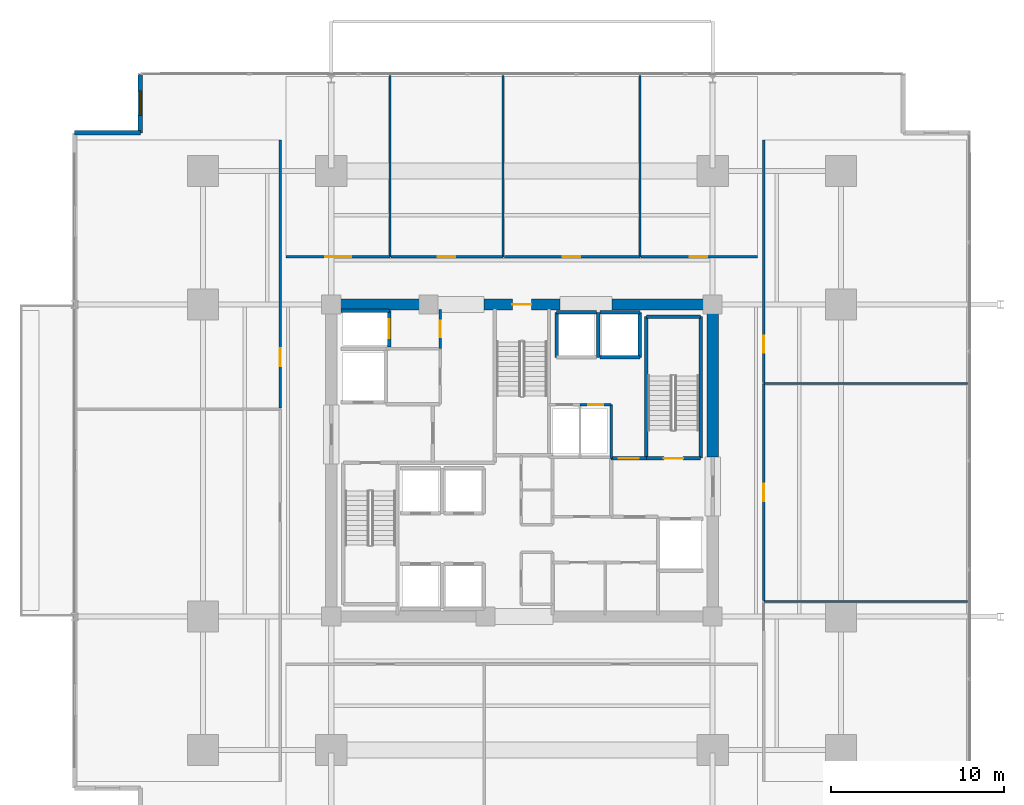
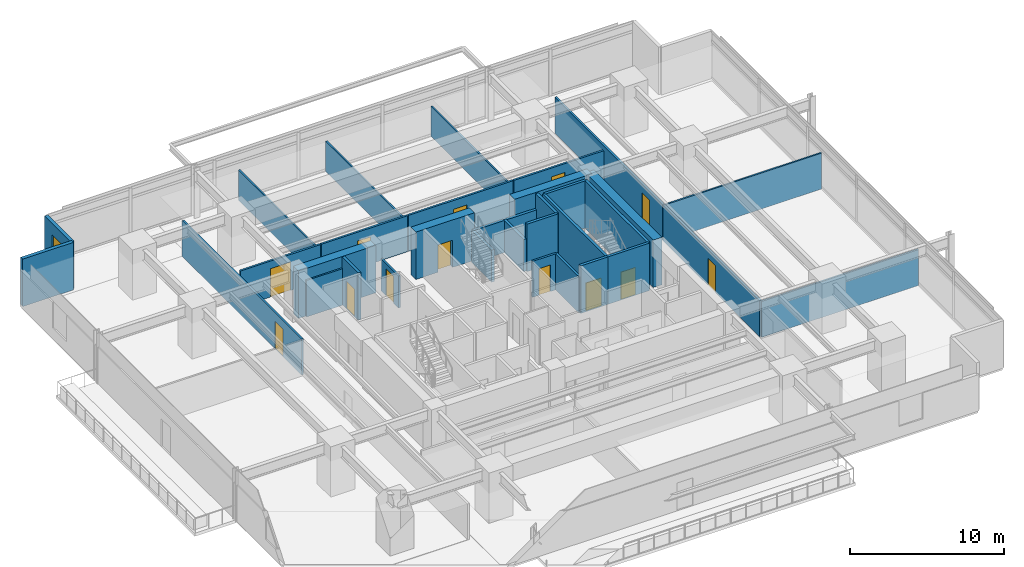
# One storey, part 16 of 22: 34 walls, 13 doors, 1 window, 14 openings.
"""IFC4 building model written with IfcOpenShell, lengths in metres."""

from ifc_helpers import new_model, si_unit, direction, frame, frame_2d, origin, place, context, subcontext, project, spatial, rectangle, extrude, material, layer, layer_set, type_object, element, fill, save


model = new_model("IFC4")

# Units and contexts
model_context = context("Model", 3, precision=1e-05, world=origin(), true_north=direction((0.0, 1.0)))
body_context = subcontext(model_context, "Body", "Model", "MODEL_VIEW")
ifc_project = project(units=[si_unit("LENGTHUNIT", "METRE"), si_unit("AREAUNIT", "SQUARE_METRE"), si_unit("VOLUMEUNIT", "CUBIC_METRE"), si_unit("PLANEANGLEUNIT", "RADIAN"), si_unit("MASSUNIT", "GRAM", prefix="KILO")], contexts=[model_context])

# Site, building, storey
site_placement = place(None, origin())
site = spatial("IfcSite", under=ifc_project, at=site_placement, CompositionType="ELEMENT")
building_placement = place(site_placement, origin())
building = spatial("IfcBuilding", under=site, at=building_placement, Name="Kovane Verandah Tower", CompositionType="ELEMENT")
storey_placement = place(building_placement, frame((0.0, 0.0, 59.60009765625)))
storey = spatial("IfcBuildingStorey", under=building, at=storey_placement, Name="L13", CompositionType="ELEMENT", Elevation=59.60009765625)

# Wall, opening, door
ifc_material_1 = material(Name="Fire-Rated Gypsum Stud Partition", Category="gypsum")
ifc_layer_1 = layer(ifc_material_1, 0.14990234375)
ifc_layer_set_1 = layer_set([ifc_layer_1], Name="Fire-Rated Gypsum Stud Partition")
wall_type_1 = type_object("IfcWallType", Name="WL-COR-150", PredefinedType="PARTITIONING", material=ifc_layer_set_1)
wall_1_placement = place(storey_placement, frame((35.280029296875, 33.949951171875, 0.0), z_axis=(0.0, 0.0, 1.0), x_axis=(0.0, 1.0, 0.0)))
wall_1 = element("IfcWall", 1, at=wall_1_placement, inside=storey, type_object=wall_type_1, Name="L13 Goods Lift Lobby East Fire Partition", PredefinedType="PARTITIONING", context=body_context, shape_type="SweptSolid", body=[
    extrude(rectangle(XDim=2.27001953125, YDim=0.14990234375, at=frame_2d((1.135009765625, 0.0))), origin(), (0.0, 0.0, 1.0), 2.539794921875),
])
opening_1_placement = place(wall_1_placement, frame((0.659912109375, 0.0, 0.0)))
opening_1 = element("IfcOpeningElement", 2, at=opening_1_placement, cuts=wall_1, Name="Opening DR-L13-008", PredefinedType="OPENING", context=body_context, shape_type="SweptSolid", body=[
    extrude(rectangle(XDim=0.949951171875, YDim=2.14990234375, at=frame_2d((0.47509765625, 1.074951171875))), frame((0.0, 0.074951171875, 0.0), z_axis=(0.0, -1.0, 0.0), x_axis=(1.0, 0.0, 0.0)), (0.0, 0.0, 1.0), 0.14990234375),
])
ifc_material_2 = material(Name="Fire-Rated Steel Refuge and Lobby Door", Category="steel")
door_type_1 = type_object("IfcDoorType", Name="DR-FIRE-950", OperationType="SINGLE_SWING_LEFT", PredefinedType="DOOR", material=ifc_material_2)
door_1_placement = place(opening_1_placement, origin())
door_1 = element("IfcDoor", 3, at=door_1_placement, inside=storey, type_object=door_type_1, Name="L13 Goods Lift Lobby Fire Door", OperationType="SINGLE_SWING_RIGHT", OverallHeight=2.14990234375, OverallWidth=0.949951171875, PredefinedType="DOOR", context=body_context, shape_type="SweptSolid", body=[
    extrude(rectangle(XDim=0.949951171875, YDim=2.14990234375, at=frame_2d((0.47509765625, 1.074951171875))), frame((0.0, 0.02490234375, 0.0), z_axis=(0.0, -1.0, 0.0), x_axis=(1.0, 0.0, 0.0)), (0.0, 0.0, 1.0), 0.050048828125),
])
fill(opening_1, door_1)

# Wall
wall_2_placement = place(storey_placement, frame((45.14990234375, 27.6201171875, 0.0), z_axis=(0.0, 0.0, 1.0), x_axis=(0.0, 1.0, 0.0)))
element("IfcWall", 4, at=wall_2_placement, inside=storey, type_object=wall_type_1, Name="L13 East Core Service Riser East Wall", PredefinedType="PARTITIONING", context=body_context, shape_type="SweptSolid", body=[
    extrude(rectangle(XDim=3.099853515625, YDim=0.14990234375, at=frame_2d((1.5498046875, 0.0))), origin(), (0.0, 0.0, 1.0), 2.849853515625),
])

# Wall, opening, door
wall_3_placement = place(storey_placement, frame((43.360107421875, 30.719970703125, 0.0), z_axis=(0.0, 0.0, 1.0), x_axis=(1.0, 0.0, 0.0)))
wall_3 = element("IfcWall", 5, at=wall_3_placement, inside=storey, type_object=wall_type_1, Name="L13 Smoke Extract Duct Room Partition", PredefinedType="PARTITIONING", context=body_context, shape_type="SweptSolid", body=[
    extrude(rectangle(XDim=1.789794921875, YDim=0.14990234375, at=frame_2d((0.89501953125, 0.0))), origin(), (0.0, 0.0, 1.0), 2.849853515625),
])
opening_2_placement = place(wall_3_placement, frame((0.455078125, 0.0, 0.0)))
opening_2 = element("IfcOpeningElement", 6, at=opening_2_placement, cuts=wall_3, Name="Opening DR-L13-019", PredefinedType="OPENING", context=body_context, shape_type="SweptSolid", body=[
    extrude(rectangle(XDim=0.8798828125, YDim=2.10009765625, at=frame_2d((0.43994140625, 1.050048828125))), frame((0.0, 0.074951171875, 0.0), z_axis=(0.0, -1.0, 0.0), x_axis=(1.0, 0.0, 0.0)), (0.0, 0.0, 1.0), 0.14990234375),
])
ifc_material_3 = material(Name="Fire-Rated Steel Riser Access Door", Category="steel")
door_type_2 = type_object("IfcDoorType", Name="DR-RISER-880", OperationType="SINGLE_SWING_LEFT", PredefinedType="DOOR", material=ifc_material_3)
door_2_placement = place(opening_2_placement, origin())
door_2 = element("IfcDoor", 7, at=door_2_placement, inside=storey, type_object=door_type_2, Name="L13 Smoke Extract Duct Room Door", OperationType="SINGLE_SWING_RIGHT", OverallHeight=2.10009765625, OverallWidth=0.8798828125, PredefinedType="DOOR", context=body_context, shape_type="SweptSolid", body=[
    extrude(rectangle(XDim=0.8798828125, YDim=2.10009765625, at=frame_2d((0.43994140625, 1.050048828125))), frame((0.0, 0.02490234375, 0.0), z_axis=(0.0, -1.0, 0.0), x_axis=(1.0, 0.0, 0.0)), (0.0, 0.0, 1.0), 0.050048828125),
])
fill(opening_2, door_2)

wall_4_placement = place(storey_placement, frame((26.39990234375, 39.25, 0.0), z_axis=(0.0, 0.0, 1.0), x_axis=(1.0, 0.0, 0.0)))
wall_4 = element("IfcWall", 8, at=wall_4_placement, inside=storey, type_object=wall_type_1, Name="L13 Client Boardroom N1 Corridor Partition", PredefinedType="PARTITIONING", context=body_context, shape_type="SweptSolid", body=[
    extrude(rectangle(XDim=5.984130859375, YDim=0.14990234375, at=frame_2d((2.9921875, 0.0))), origin(), (0.0, 0.0, 1.0), 2.849853515625),
])
opening_3_placement = place(wall_4_placement, frame((2.257080078125, 0.0, 0.0)))
opening_3 = element("IfcOpeningElement", 9, at=opening_3_placement, cuts=wall_4, Name="Opening DR-L13-020", PredefinedType="OPENING", context=body_context, shape_type="SweptSolid", body=[
    extrude(rectangle(XDim=1.5, YDim=2.25, at=frame_2d((0.75, 1.125))), frame((0.0, 0.074951171875, 0.0), z_axis=(0.0, -1.0, 0.0), x_axis=(1.0, 0.0, 0.0)), (0.0, 0.0, 1.0), 0.14990234375),
])
ifc_material_4 = material(Name="Glazed Timber Fire-Rated Double Door", Category="wood")
door_type_3 = type_object("IfcDoorType", Name="DR-CONF-1500", OperationType="DOUBLE_DOOR_SINGLE_SWING", PredefinedType="DOOR", material=ifc_material_4)
door_3_placement = place(opening_3_placement, origin())
door_3 = element("IfcDoor", 10, at=door_3_placement, inside=storey, type_object=door_type_3, Name="L13 Client Boardroom N1 Entrance Door", OperationType="DOUBLE_DOOR_SINGLE_SWING", OverallHeight=2.25, OverallWidth=1.5, PredefinedType="DOOR", context=body_context, shape_type="SweptSolid", body=[
    extrude(rectangle(XDim=1.5, YDim=2.25, at=frame_2d((0.75, 1.125))), frame((0.0, 0.02490234375, 0.0), z_axis=(0.0, -1.0, 0.0), x_axis=(1.0, 0.0, 0.0)), (0.0, 0.0, 1.0), 0.050048828125),
])
fill(opening_3, door_3)

wall_5_placement = place(storey_placement, frame((32.4541015625, 39.25, 0.0), z_axis=(0.0, 0.0, 1.0), x_axis=(1.0, 0.0, 0.0)))
wall_5 = element("IfcWall", 11, at=wall_5_placement, inside=storey, type_object=wall_type_1, Name="L13 Meeting Room N2 Corridor Partition", PredefinedType="PARTITIONING", context=body_context, shape_type="SweptSolid", body=[
    extrude(rectangle(XDim=6.4580078125, YDim=0.14990234375, at=frame_2d((3.22900390625, 0.0))), origin(), (0.0, 0.0, 1.0), 2.849853515625),
])
opening_4_placement = place(wall_5_placement, frame((2.694091796875, 0.0, 0.0)))
opening_4 = element("IfcOpeningElement", 12, at=opening_4_placement, cuts=wall_5, Name="Opening DR-L13-021", PredefinedType="OPENING", context=body_context, shape_type="SweptSolid", body=[
    extrude(rectangle(XDim=1.0, YDim=2.14990234375, at=frame_2d((0.5, 1.074951171875))), frame((0.0, 0.074951171875, 0.0), z_axis=(0.0, -1.0, 0.0), x_axis=(1.0, 0.0, 0.0)), (0.0, 0.0, 1.0), 0.14990234375),
])
ifc_material_5 = material(Name="FSC Spotted-Gum Timber Fire-Rated Office Door", Category="wood")
door_type_4 = type_object("IfcDoorType", Name="DR-OFF-1000", OperationType="SINGLE_SWING_LEFT", PredefinedType="DOOR", material=ifc_material_5)
door_4_placement = place(opening_4_placement, origin())
door_4 = element("IfcDoor", 13, at=door_4_placement, inside=storey, type_object=door_type_4, Name="L13 Meeting Room N2 Entrance Door", OperationType="SINGLE_SWING_RIGHT", OverallHeight=2.14990234375, OverallWidth=1.0, PredefinedType="DOOR", context=body_context, shape_type="SweptSolid", body=[
    extrude(rectangle(XDim=1.0, YDim=2.14990234375, at=frame_2d((0.5, 1.074951171875))), frame((0.0, 0.02490234375, 0.0), z_axis=(0.0, -1.0, 0.0), x_axis=(1.0, 0.0, 0.0)), (0.0, 0.0, 1.0), 0.050048828125),
])
fill(opening_4, door_4)

wall_6_placement = place(storey_placement, frame((38.98193359375, 39.25, 0.0), z_axis=(0.0, 0.0, 1.0), x_axis=(1.0, 0.0, 0.0)))
wall_6 = element("IfcWall", 14, at=wall_6_placement, inside=storey, type_object=wall_type_1, Name="L13 Focus Studio N3 Corridor Partition", PredefinedType="PARTITIONING", context=body_context, shape_type="SweptSolid", body=[
    extrude(rectangle(XDim=7.818115234375, YDim=0.14990234375, at=frame_2d((3.9091796875, 0.0))), origin(), (0.0, 0.0, 1.0), 2.849853515625),
])
opening_5_placement = place(wall_6_placement, frame((3.3740234375, 0.0, 0.0)))
opening_5 = element("IfcOpeningElement", 15, at=opening_5_placement, cuts=wall_6, Name="Opening DR-L13-022", PredefinedType="OPENING", context=body_context, shape_type="SweptSolid", body=[
    extrude(rectangle(XDim=1.0, YDim=2.14990234375, at=frame_2d((0.5, 1.074951171875))), frame((0.0, 0.074951171875, 0.0), z_axis=(0.0, -1.0, 0.0), x_axis=(1.0, 0.0, 0.0)), (0.0, 0.0, 1.0), 0.14990234375),
])
door_5_placement = place(opening_5_placement, origin())
door_5 = element("IfcDoor", 16, at=door_5_placement, inside=storey, type_object=door_type_4, Name="L13 Focus Studio N3 Entrance Door", OperationType="SINGLE_SWING_LEFT", OverallHeight=2.14990234375, OverallWidth=1.0, PredefinedType="DOOR", context=body_context, shape_type="SweptSolid", body=[
    extrude(rectangle(XDim=1.0, YDim=2.14990234375, at=frame_2d((0.5, 1.074951171875))), frame((0.0, 0.02490234375, 0.0), z_axis=(0.0, -1.0, 0.0), x_axis=(1.0, 0.0, 0.0)), (0.0, 0.0, 1.0), 0.050048828125),
])
fill(opening_5, door_5)

wall_7_placement = place(storey_placement, frame((46.8701171875, 39.25, 0.0), z_axis=(0.0, 0.0, 1.0), x_axis=(1.0, 0.0, 0.0)))
wall_7 = element("IfcWall", 17, at=wall_7_placement, inside=storey, type_object=wall_type_1, Name="L13 Breakout Pantry N4 Corridor Partition", PredefinedType="PARTITIONING", context=body_context, shape_type="SweptSolid", body=[
    extrude(rectangle(XDim=6.72998046875, YDim=0.14990234375, at=frame_2d((3.364990234375, 0.0))), origin(), (0.0, 0.0, 1.0), 2.849853515625),
])
opening_6_placement = place(wall_7_placement, frame((2.81494140625, 0.0, 0.0)))
opening_6 = element("IfcOpeningElement", 18, at=opening_6_placement, cuts=wall_7, Name="Opening DR-L13-023", PredefinedType="OPENING", context=body_context, shape_type="SweptSolid", body=[
    extrude(rectangle(XDim=1.0, YDim=2.14990234375, at=frame_2d((0.5, 1.074951171875))), frame((0.0, 0.074951171875, 0.0), z_axis=(0.0, -1.0, 0.0), x_axis=(1.0, 0.0, 0.0)), (0.0, 0.0, 1.0), 0.14990234375),
])
door_6_placement = place(opening_6_placement, origin())
door_6 = element("IfcDoor", 19, at=door_6_placement, inside=storey, type_object=door_type_4, Name="L13 Breakout Pantry N4 Entrance Door", OperationType="SINGLE_SWING_RIGHT", OverallHeight=2.14990234375, OverallWidth=1.0, PredefinedType="DOOR", context=body_context, shape_type="SweptSolid", body=[
    extrude(rectangle(XDim=1.0, YDim=2.14990234375, at=frame_2d((0.5, 1.074951171875))), frame((0.0, 0.02490234375, 0.0), z_axis=(0.0, -1.0, 0.0), x_axis=(1.0, 0.0, 0.0)), (0.0, 0.0, 1.0), 0.050048828125),
])
fill(opening_6, door_6)

wall_8_placement = place(storey_placement, frame((26.050048828125, 30.530517578125, 0.0), z_axis=(0.0, 0.0, 1.0), x_axis=(0.0, 1.0, 0.0)))
wall_8 = element("IfcWall", 20, at=wall_8_placement, inside=storey, type_object=wall_type_1, Name="L13 Executive Office W2 Corridor Partition", PredefinedType="PARTITIONING", context=body_context, shape_type="SweptSolid", body=[
    extrude(rectangle(XDim=15.47314453125, YDim=0.14990234375, at=frame_2d((7.736572265625, 0.0))), origin(), (0.0, 0.0, 1.0), 2.849853515625),
])
opening_7_placement = place(wall_8_placement, frame((2.40966796875, 0.0, 0.0)))
opening_7 = element("IfcOpeningElement", 21, at=opening_7_placement, cuts=wall_8, Name="Opening DR-L13-031", PredefinedType="OPENING", context=body_context, shape_type="SweptSolid", body=[
    extrude(rectangle(XDim=1.050048828125, YDim=2.199951171875, at=frame_2d((0.52490234375, 1.10009765625))), frame((0.0, 0.074951171875, 0.0), z_axis=(0.0, -1.0, 0.0), x_axis=(1.0, 0.0, 0.0)), (0.0, 0.0, 1.0), 0.14990234375),
])
ifc_material_6 = material(Name="FSC Blackbutt Timber Fire-Rated Executive Door", Category="wood")
door_type_5 = type_object("IfcDoorType", Name="DR-EXEC-1050", OperationType="SINGLE_SWING_LEFT", PredefinedType="DOOR", material=ifc_material_6)
door_7_placement = place(opening_7_placement, origin())
door_7 = element("IfcDoor", 22, at=door_7_placement, inside=storey, type_object=door_type_5, Name="L13 Executive Office W2 Entrance Door", OperationType="SINGLE_SWING_RIGHT", OverallHeight=2.199951171875, OverallWidth=1.050048828125, PredefinedType="DOOR", context=body_context, shape_type="SweptSolid", body=[
    extrude(rectangle(XDim=1.050048828125, YDim=2.199951171875, at=frame_2d((0.52490234375, 1.10009765625))), frame((0.0, 0.02490234375, 0.0), z_axis=(0.0, -1.0, 0.0), x_axis=(1.0, 0.0, 0.0)), (0.0, 0.0, 1.0), 0.050048828125),
])
fill(opening_7, door_7)

wall_9_placement = place(storey_placement, frame((53.949951171875, 19.428466796875, 0.0), z_axis=(0.0, 0.0, 1.0), x_axis=(0.0, 1.0, 0.0)))
wall_9 = element("IfcWall", 23, at=wall_9_placement, inside=storey, type_object=wall_type_1, Name="L13 Meeting Room E2 Corridor Partition", PredefinedType="PARTITIONING", context=body_context, shape_type="SweptSolid", body=[
    extrude(rectangle(XDim=12.512451171875, YDim=0.14990234375, at=frame_2d((6.25634765625, 0.0))), origin(), (0.0, 0.0, 1.0), 2.849853515625),
])
opening_8_placement = place(wall_9_placement, frame((5.72119140625, 0.0, 0.0)))
opening_8 = element("IfcOpeningElement", 24, at=opening_8_placement, cuts=wall_9, Name="Opening DR-L13-013", PredefinedType="OPENING", context=body_context, shape_type="SweptSolid", body=[
    extrude(rectangle(XDim=1.0, YDim=2.14990234375, at=frame_2d((0.5, 1.074951171875))), frame((0.0, 0.074951171875, 0.0), z_axis=(0.0, -1.0, 0.0), x_axis=(1.0, 0.0, 0.0)), (0.0, 0.0, 1.0), 0.14990234375),
])
door_8_placement = place(opening_8_placement, origin())
door_8 = element("IfcDoor", 25, at=door_8_placement, inside=storey, type_object=door_type_4, Name="L13 Meeting Room E2 Entrance Door", OperationType="SINGLE_SWING_RIGHT", OverallHeight=2.14990234375, OverallWidth=1.0, PredefinedType="DOOR", context=body_context, shape_type="SweptSolid", body=[
    extrude(rectangle(XDim=1.0, YDim=2.14990234375, at=frame_2d((0.5, 1.074951171875))), frame((0.0, 0.02490234375, 0.0), z_axis=(0.0, -1.0, 0.0), x_axis=(1.0, 0.0, 0.0)), (0.0, 0.0, 1.0), 0.050048828125),
])
fill(opening_8, door_8)

wall_10_placement = place(storey_placement, frame((53.949951171875, 32.010986328125, 0.0), z_axis=(0.0, 0.0, 1.0), x_axis=(0.0, 1.0, 0.0)))
wall_10 = element("IfcWall", 26, at=wall_10_placement, inside=storey, type_object=wall_type_1, Name="L13 Focus Studio E3 Corridor Partition", PredefinedType="PARTITIONING", context=body_context, shape_type="SweptSolid", body=[
    extrude(rectangle(XDim=13.99267578125, YDim=0.14990234375, at=frame_2d((6.996337890625, 0.0))), origin(), (0.0, 0.0, 1.0), 2.849853515625),
])
opening_9_placement = place(wall_10_placement, frame((1.694580078125, 0.0, 0.0)))
opening_9 = element("IfcOpeningElement", 27, at=opening_9_placement, cuts=wall_10, Name="Opening DR-L13-014", PredefinedType="OPENING", context=body_context, shape_type="SweptSolid", body=[
    extrude(rectangle(XDim=1.0, YDim=2.14990234375, at=frame_2d((0.5, 1.074951171875))), frame((0.0, 0.074951171875, 0.0), z_axis=(0.0, -1.0, 0.0), x_axis=(1.0, 0.0, 0.0)), (0.0, 0.0, 1.0), 0.14990234375),
])
door_9_placement = place(opening_9_placement, origin())
door_9 = element("IfcDoor", 28, at=door_9_placement, inside=storey, type_object=door_type_4, Name="L13 Focus Studio E3 Entrance Door", OperationType="SINGLE_SWING_LEFT", OverallHeight=2.14990234375, OverallWidth=1.0, PredefinedType="DOOR", context=body_context, shape_type="SweptSolid", body=[
    extrude(rectangle(XDim=1.0, YDim=2.14990234375, at=frame_2d((0.5, 1.074951171875))), frame((0.0, 0.02490234375, 0.0), z_axis=(0.0, -1.0, 0.0), x_axis=(1.0, 0.0, 0.0)), (0.0, 0.0, 1.0), 0.050048828125),
])
fill(opening_9, door_9)

# Wall
ifc_material_7 = material(Name="Concrete C80/95", Category="concrete")
ifc_layer_2 = layer(ifc_material_7, 0.64990234375)
ifc_layer_set_2 = layer_set([ifc_layer_2], Name="Concrete C80/95")
wall_type_2 = type_object("IfcWallType", Name="WL-CORE-650", PredefinedType="SHEAR", material=ifc_layer_set_2)
wall_11_placement = place(storey_placement, frame((29.0, 36.5, 0.0), z_axis=(0.0, 0.0, 1.0), x_axis=(1.0, 0.0, 0.0)))
element("IfcWall", 29, at=wall_11_placement, inside=storey, type_object=wall_type_2, Name="L13 Core Shear Wall CN-1", PredefinedType="SHEAR", context=body_context, shape_type="SweptSolid", body=[
    extrude(rectangle(XDim=5.800048828125, YDim=0.64990234375, at=frame_2d((2.89990234375, 0.0))), origin(), (0.0, 0.0, 1.0), 3.760009765625),
])

# Wall, opening, door
wall_12_placement = place(storey_placement, frame((37.800048828125, 36.5, 0.0), z_axis=(0.0, 0.0, 1.0), x_axis=(1.0, 0.0, 0.0)))
wall_12 = element("IfcWall", 30, at=wall_12_placement, inside=storey, type_object=wall_type_2, Name="L13 Core Shear Wall CN-2", PredefinedType="SHEAR", context=body_context, shape_type="SweptSolid", body=[
    extrude(rectangle(XDim=4.39990234375, YDim=0.64990234375, at=frame_2d((2.199951171875, 0.0))), origin(), (0.0, 0.0, 1.0), 3.760009765625),
])
opening_10_placement = place(wall_12_placement, frame((1.64990234375, 0.0, 0.0)))
opening_10 = element("IfcOpeningElement", 31, at=opening_10_placement, cuts=wall_12, Name="Opening DR-L13-011", PredefinedType="OPENING", context=body_context, shape_type="SweptSolid", body=[
    extrude(rectangle(XDim=1.10009765625, YDim=2.14990234375, at=frame_2d((0.550048828125, 1.074951171875))), frame((0.0, 0.324951171875, 0.0), z_axis=(0.0, -1.0, 0.0), x_axis=(1.0, 0.0, 0.0)), (0.0, 0.0, 1.0), 0.64990234375),
])
ifc_material_8 = material(Name="Fire-Rated Steel Exit Door", Category="steel")
door_type_6 = type_object("IfcDoorType", Name="DR-STAIR-1100", OperationType="SINGLE_SWING_LEFT", PredefinedType="DOOR", material=ifc_material_8)
door_10_placement = place(opening_10_placement, origin())
door_10 = element("IfcDoor", 32, at=door_10_placement, inside=storey, type_object=door_type_6, Name="L13 ST-03 Fire Exit Stair Door", OperationType="SINGLE_SWING_RIGHT", OverallHeight=2.14990234375, OverallWidth=1.10009765625, PredefinedType="DOOR", context=body_context, shape_type="SweptSolid", body=[
    extrude(rectangle(XDim=1.10009765625, YDim=2.14990234375, at=frame_2d((0.550048828125, 1.074951171875))), frame((0.0, 0.02490234375, 0.0), z_axis=(0.0, -1.0, 0.0), x_axis=(1.0, 0.0, 0.0)), (0.0, 0.0, 1.0), 0.050048828125),
])
fill(opening_10, door_10)

# Walls
wall_13_placement = place(storey_placement, frame((45.199951171875, 36.5, 0.0), z_axis=(0.0, 0.0, 1.0), x_axis=(1.0, 0.0, 0.0)))
element("IfcWall", 33, at=wall_13_placement, inside=storey, type_object=wall_type_2, Name="L13 Core Shear Wall CN-3", PredefinedType="SHEAR", context=body_context, shape_type="SweptSolid", body=[
    extrude(rectangle(XDim=5.800048828125, YDim=0.64990234375, at=frame_2d((2.89990234375, 0.0))), origin(), (0.0, 0.0, 1.0), 3.760009765625),
])
wall_14_placement = place(storey_placement, frame((51.0, 27.699951171875, 0.0), z_axis=(0.0, 0.0, 1.0), x_axis=(0.0, 1.0, 0.0)))
element("IfcWall", 34, at=wall_14_placement, inside=storey, type_object=wall_type_2, Name="L13 Core Shear Wall CE-2", PredefinedType="SHEAR", context=body_context, shape_type="SweptSolid", body=[
    extrude(rectangle(XDim=8.800048828125, YDim=0.64990234375, at=frame_2d((4.39990234375, 0.0))), origin(), (0.0, 0.0, 1.0), 3.760009765625),
])

# Wall, opening, door
ifc_material_9 = material(Name="Concrete C45/55 Fire Wall", Category="concrete")
ifc_layer_3 = layer(ifc_material_9, 0.199951171875)
ifc_layer_set_3 = layer_set([ifc_layer_3], Name="Concrete C45/55 Fire Wall")
wall_type_3 = type_object("IfcWallType", Name="WL-FFL-200", PredefinedType="PARTITIONING", material=ifc_layer_set_3)
wall_15_placement = place(storey_placement, frame((45.14990234375, 27.6201171875, 0.0), z_axis=(0.0, 0.0, 1.0), x_axis=(1.0, 0.0, 0.0)))
wall_15 = element("IfcWall", 35, at=wall_15_placement, inside=storey, type_object=wall_type_3, Name="W-L13-FFLE-N", PredefinedType="PARTITIONING", context=body_context, shape_type="SweptSolid", body=[
    extrude(rectangle(XDim=2.030029296875, YDim=0.199951171875, at=frame_2d((1.01513671875, 0.0))), origin(), (0.0, 0.0, 1.0), 3.760009765625),
])
opening_11_placement = place(wall_15_placement, frame((0.43994140625, 0.0, 0.0)))
opening_11 = element("IfcOpeningElement", 36, at=opening_11_placement, cuts=wall_15, Name="Opening DR-L13-004", PredefinedType="OPENING", context=body_context, shape_type="SweptSolid", body=[
    extrude(rectangle(XDim=1.14990234375, YDim=2.199951171875, at=frame_2d((0.574951171875, 1.10009765625))), frame((0.0, 0.10009765625, 0.0), z_axis=(0.0, -1.0, 0.0), x_axis=(1.0, 0.0, 0.0)), (0.0, 0.0, 1.0), 0.199951171875),
])
ifc_material_10 = material(Name="Smoke-Sealed Firefighting Lobby Door", Category="steel")
door_type_7 = type_object("IfcDoorType", Name="DR-FFL-1150", OperationType="SINGLE_SWING_LEFT", PredefinedType="DOOR", material=ifc_material_10)
door_11_placement = place(opening_11_placement, origin())
door_11 = element("IfcDoor", 37, at=door_11_placement, inside=storey, type_object=door_type_7, Name="L13 East Firefighting Lobby Shuttle Link Door", OperationType="SINGLE_SWING_LEFT", OverallHeight=2.199951171875, OverallWidth=1.14990234375, PredefinedType="DOOR", context=body_context, shape_type="SweptSolid", body=[
    extrude(rectangle(XDim=1.14990234375, YDim=2.199951171875, at=frame_2d((0.574951171875, 1.10009765625))), frame((0.0, 0.02490234375, 0.0), z_axis=(0.0, -1.0, 0.0), x_axis=(1.0, 0.0, 0.0)), (0.0, 0.0, 1.0), 0.050048828125),
])
fill(opening_11, door_11)

# Wall
ifc_material_11 = material(Name="Concrete C45/55 Lift Shaft Wall", Category="concrete")
ifc_layer_4 = layer(ifc_material_11, 0.199951171875)
ifc_layer_set_4 = layer_set([ifc_layer_4], Name="Concrete C45/55 Lift Shaft Wall")
wall_type_4 = type_object("IfcWallType", Name="WL-LIFT-200", PredefinedType="SOLIDWALL", material=ifc_layer_set_4)
wall_16_placement = place(storey_placement, frame((32.35009765625, 36.14990234375, 0.0), z_axis=(0.0, 0.0, 1.0), x_axis=(-1.0, 0.0, 0.0)))
element("IfcWall", 38, at=wall_16_placement, inside=storey, type_object=wall_type_4, Name="L13 Lift GL-01 N Shaft Wall", PredefinedType="SOLIDWALL", context=body_context, shape_type="SweptSolid", body=[
    extrude(rectangle(XDim=2.800048828125, YDim=0.199951171875, at=frame_2d((1.39990234375, 0.0))), origin(), (0.0, 0.0, 1.0), 2.88916015625),
])

# Wall, opening, door
wall_17_placement = place(storey_placement, frame((32.35009765625, 34.050048828125, 0.0), z_axis=(0.0, 0.0, 1.0), x_axis=(0.0, 1.0, 0.0)))
wall_17 = element("IfcWall", 39, at=wall_17_placement, inside=storey, type_object=wall_type_4, Name="L13 Lift GL-01 E Shaft Wall", PredefinedType="SOLIDWALL", context=body_context, shape_type="SweptSolid", body=[
    extrude(rectangle(XDim=2.099853515625, YDim=0.199951171875, at=frame_2d((1.0498046875, 0.0))), origin(), (0.0, 0.0, 1.0), 3.760009765625),
])
opening_12_placement = place(wall_17_placement, frame((0.5, 0.0, 0.0)))
opening_12 = element("IfcOpeningElement", 40, at=opening_12_placement, cuts=wall_17, Name="Opening LD-L13-003", PredefinedType="OPENING", context=body_context, shape_type="SweptSolid", body=[
    extrude(rectangle(XDim=1.10009765625, YDim=2.199951171875, at=frame_2d((0.550048828125, 1.10009765625))), frame((0.0, 0.10009765625, 0.0), z_axis=(0.0, -1.0, 0.0), x_axis=(1.0, 0.0, 0.0)), (0.0, 0.0, 1.0), 0.199951171875),
])
ifc_material_12 = material(Name="Brushed Stainless Steel Sliding Lift Landing Door", Category="steel")
door_type_8 = type_object("IfcDoorType", Name="DR-LIFT-1100", OperationType="SLIDING_TO_RIGHT", PredefinedType="DOOR", material=ifc_material_12)
door_12_placement = place(opening_12_placement, origin())
door_12 = element("IfcDoor", 41, at=door_12_placement, inside=storey, type_object=door_type_8, Name="L13 Lift GL-01 Sliding Landing Door", OperationType="SLIDING_TO_RIGHT", OverallHeight=2.199951171875, OverallWidth=1.10009765625, PredefinedType="DOOR", context=body_context, shape_type="SweptSolid", body=[
    extrude(rectangle(XDim=1.10009765625, YDim=2.199951171875, at=frame_2d((0.550048828125, 1.10009765625))), frame((0.0, 0.02490234375, 0.0), z_axis=(0.0, -1.0, 0.0), x_axis=(1.0, 0.0, 0.0)), (0.0, 0.0, 1.0), 0.050048828125),
])
fill(opening_12, door_12)

# Walls
wall_18_placement = place(storey_placement, frame((44.300048828125, 36.050048828125, 0.0), z_axis=(0.0, 0.0, 1.0), x_axis=(-1.0, 0.0, 0.0)))
element("IfcWall", 42, at=wall_18_placement, inside=storey, type_object=wall_type_4, Name="L13 Lift SL-01 N Shaft Wall", PredefinedType="SOLIDWALL", context=body_context, shape_type="SweptSolid", body=[
    extrude(rectangle(XDim=2.300048828125, YDim=0.199951171875, at=frame_2d((1.14990234375, 0.0))), origin(), (0.0, 0.0, 1.0), 2.539794921875),
])
for number, where, z_axis, x_axis, name in (
    (43, (42.0, 36.050048828125, 0.0), (0.0, 0.0, 1.0), (0.0, -1.0, 0.0), "L13 Lift SL-01 W Shaft Wall"),
    (44, (44.39990234375, 33.449951171875, 0.0), (0.0, 0.0, 1.0), (0.0, 1.0, 0.0), "L13 Lift OL-01 and SL-01 Shared Shaft Wall"),
):
    element("IfcWall", number, at=place(storey_placement, frame(where, z_axis=z_axis, x_axis=x_axis)), inside=storey, type_object=wall_type_4, Name=name, PredefinedType="SOLIDWALL", context=body_context, shape_type="SweptSolid", body=[
        extrude(rectangle(XDim=2.60009765625, YDim=0.199951171875, at=frame_2d((1.300048828125, 0.0))), origin(), (0.0, 0.0, 1.0), 2.539794921875),
    ])
wall_19_placement = place(storey_placement, frame((44.5, 33.449951171875, 0.0), z_axis=(0.0, 0.0, 1.0), x_axis=(1.0, 0.0, 0.0)))
element("IfcWall", 45, at=wall_19_placement, inside=storey, type_object=wall_type_4, Name="L13 Lift OL-01 S Shaft Wall", PredefinedType="SOLIDWALL", context=body_context, shape_type="SweptSolid", body=[
    extrude(rectangle(XDim=2.300048828125, YDim=0.199951171875, at=frame_2d((1.14990234375, 0.0))), origin(), (0.0, 0.0, 1.0), 3.760009765625),
])
wall_20_placement = place(storey_placement, frame((46.800048828125, 36.050048828125, 0.0), z_axis=(0.0, 0.0, 1.0), x_axis=(-1.0, 0.0, 0.0)))
element("IfcWall", 46, at=wall_20_placement, inside=storey, type_object=wall_type_4, Name="L13 Lift OL-01 N Shaft Wall", PredefinedType="SOLIDWALL", context=body_context, shape_type="SweptSolid", body=[
    extrude(rectangle(XDim=2.300048828125, YDim=0.199951171875, at=frame_2d((1.14990234375, 0.0))), origin(), (0.0, 0.0, 1.0), 2.539794921875),
])
wall_21_placement = place(storey_placement, frame((46.800048828125, 33.449951171875, 0.0), z_axis=(0.0, 0.0, 1.0), x_axis=(0.0, 1.0, 0.0)))
element("IfcWall", 47, at=wall_21_placement, inside=storey, type_object=wall_type_4, Name="L13 Lift OL-01 E Shaft Wall", PredefinedType="SOLIDWALL", context=body_context, shape_type="SweptSolid", body=[
    extrude(rectangle(XDim=2.60009765625, YDim=0.199951171875, at=frame_2d((1.300048828125, 0.0))), origin(), (0.0, 0.0, 1.0), 3.760009765625),
])
ifc_material_13 = material(Name="Acoustic Fire-Rated Gypsum Partition", Category="gypsum")
ifc_layer_5 = layer(ifc_material_13, 0.1201171875)
ifc_layer_set_5 = layer_set([ifc_layer_5], Name="Acoustic Fire-Rated Gypsum Partition")
wall_type_5 = type_object("IfcWallType", Name="WL-PART-120", PredefinedType="PARTITIONING", material=ifc_layer_set_5)
for number, where, z_axis, x_axis, name in (
    (48, (32.384033203125, 39.25, 0.0), (0.0, 0.0, 1.0), (0.0, 1.0, 0.0), "L13 Client Boardroom N1 Dividing Partition"),
    (49, (38.912109375, 39.25, 0.0), (0.0, 0.0, 1.0), (0.0, 1.0, 0.0), "L13 Meeting Room N2 Dividing Partition"),
    (50, (46.800048828125, 39.25, 0.0), (0.0, 0.0, 1.0), (0.0, 1.0, 0.0), "L13 Focus Studio N3 Dividing Partition"),
):
    element("IfcWall", number, at=place(storey_placement, frame(where, z_axis=z_axis, x_axis=x_axis)), inside=storey, type_object=wall_type_5, Name=name, PredefinedType="PARTITIONING", context=body_context, shape_type="SweptSolid", body=[
        extrude(rectangle(XDim=10.45361328125, YDim=0.1201171875, at=frame_2d((5.226806640625, 0.0))), origin(), (0.0, 0.0, 1.0), 2.389892578125),
    ])
for number, where, z_axis, x_axis, name in (
    (51, (53.949951171875, 19.3583984375, 0.0), (0.0, 0.0, 1.0), (1.0, 0.0, 0.0), "L13 Client Boardroom E1 Dividing Partition"),
    (52, (53.949951171875, 31.94091796875, 0.0), (0.0, 0.0, 1.0), (1.0, 0.0, 0.0), "L13 Meeting Room E2 Dividing Partition"),
):
    element("IfcWall", number, at=place(storey_placement, frame(where, z_axis=z_axis, x_axis=x_axis)), inside=storey, type_object=wall_type_5, Name=name, PredefinedType="PARTITIONING", context=body_context, shape_type="SweptSolid", body=[
        extrude(rectangle(XDim=11.755126953125, YDim=0.1201171875, at=frame_2d((5.87744140625, 0.0))), origin(), (0.0, 0.0, 1.0), 2.849853515625),
    ])
ifc_material_14 = material(Name="Concrete C45/55", Category="concrete")
ifc_layer_6 = layer(ifc_material_14, 0.199951171875)
ifc_layer_set_6 = layer_set([ifc_layer_6], Name="Concrete C45/55")
wall_type_6 = type_object("IfcWallType", Name="WL-SHAFT-200", PredefinedType="SOLIDWALL", material=ifc_layer_set_6)
wall_22_placement = place(storey_placement, frame((50.300048828125, 27.64990234375, 0.0), z_axis=(0.0, 0.0, 1.0), x_axis=(0.0, 1.0, 0.0)))
element("IfcWall", 53, at=wall_22_placement, inside=storey, type_object=wall_type_6, Name="W-L13-ST02-E", PredefinedType="SOLIDWALL", context=body_context, shape_type="SweptSolid", body=[
    extrude(rectangle(XDim=8.150146484375, YDim=0.199951171875, at=frame_2d((4.0751953125, 0.0))), origin(), (0.0, 0.0, 1.0), 3.760009765625),
])
wall_23_placement = place(storey_placement, frame((47.179931640625, 35.800048828125, 0.0), z_axis=(0.0, 0.0, 1.0), x_axis=(1.0, 0.0, 0.0)))
element("IfcWall", 54, at=wall_23_placement, inside=storey, type_object=wall_type_6, Name="W-L13-ST02-N", PredefinedType="SOLIDWALL", context=body_context, shape_type="SweptSolid", body=[
    extrude(rectangle(XDim=3.1201171875, YDim=0.199951171875, at=frame_2d((1.56005859375, 0.0))), origin(), (0.0, 0.0, 1.0), 3.760009765625),
])
wall_24_placement = place(storey_placement, frame((47.179931640625, 27.6201171875, 0.0), z_axis=(0.0, 0.0, 1.0), x_axis=(0.0, 1.0, 0.0)))
element("IfcWall", 55, at=wall_24_placement, inside=storey, type_object=wall_type_6, Name="W-L13-ST02-W", PredefinedType="SOLIDWALL", context=body_context, shape_type="SweptSolid", body=[
    extrude(rectangle(XDim=8.179931640625, YDim=0.199951171875, at=frame_2d((4.08984375, 0.0))), origin(), (0.0, 0.0, 1.0), 3.760009765625),
])

# Wall, opening, door
wall_25_placement = place(storey_placement, frame((47.179931640625, 27.6201171875, 0.0), z_axis=(0.0, 0.0, 1.0), x_axis=(1.0, 0.0, 0.0)))
wall_25 = element("IfcWall", 56, at=wall_25_placement, inside=storey, type_object=wall_type_6, Name="W-L13-ST02-S", PredefinedType="SOLIDWALL", context=body_context, shape_type="SweptSolid", body=[
    extrude(rectangle(XDim=3.1201171875, YDim=0.199951171875, at=frame_2d((1.56005859375, 0.0))), origin(), (0.0, 0.0, 1.0), 3.760009765625),
])
opening_13_placement = place(wall_25_placement, frame((1.010009765625, 0.0, 0.0)))
opening_13 = element("IfcOpeningElement", 57, at=opening_13_placement, cuts=wall_25, Name="Opening DR-L13-010", PredefinedType="OPENING", context=body_context, shape_type="SweptSolid", body=[
    extrude(rectangle(XDim=1.10009765625, YDim=2.14990234375, at=frame_2d((0.550048828125, 1.074951171875))), frame((0.0, 0.10009765625, 0.0), z_axis=(0.0, -1.0, 0.0), x_axis=(1.0, 0.0, 0.0)), (0.0, 0.0, 1.0), 0.199951171875),
])
door_13_placement = place(opening_13_placement, origin())
door_13 = element("IfcDoor", 58, at=door_13_placement, inside=storey, type_object=door_type_6, Name="L13 ST-02 Fire Exit Stair Door", OperationType="SINGLE_SWING_LEFT", OverallHeight=2.14990234375, OverallWidth=1.10009765625, PredefinedType="DOOR", context=body_context, shape_type="SweptSolid", body=[
    extrude(rectangle(XDim=1.10009765625, YDim=2.14990234375, at=frame_2d((0.550048828125, 1.074951171875))), frame((0.0, 0.02490234375, 0.0), z_axis=(0.0, -1.0, 0.0), x_axis=(1.0, 0.0, 0.0)), (0.0, 0.0, 1.0), 0.050048828125),
])
fill(opening_13, door_13)

# Wall, opening, window
ifc_material_15 = material(Name="Concrete C45/55 Insulated Spandrel Wall", Category="concrete")
ifc_layer_7 = layer(ifc_material_15, 0.260009765625)
ifc_layer_set_7 = layer_set([ifc_layer_7], Name="Concrete C45/55 Insulated Spandrel Wall")
wall_type_7 = type_object("IfcWallType", Name="WL-SPANDREL-260", PredefinedType="PARAPET", material=ifc_layer_set_7)
wall_26_placement = place(storey_placement, frame((17.994873046875, 49.8037109375, 0.0), z_axis=(0.0, 0.0, 1.0), x_axis=(0.0, -1.0, 0.0)))
wall_26 = element("IfcWall", 59, at=wall_26_placement, inside=storey, type_object=wall_type_7, Name="L13 NW Notch Cheek Wall 1", PredefinedType="PARAPET", context=body_context, shape_type="SweptSolid", body=[
    extrude(rectangle(XDim=3.400146484375, YDim=0.260009765625, at=frame_2d((1.7001953125, 0.0))), origin(), (0.0, 0.0, 1.0), 3.760009765625),
])
opening_14_placement = place(wall_26_placement, frame((1.0, 0.0, 0.85009765625)))
opening_14 = element("IfcOpeningElement", 60, at=opening_14_placement, cuts=wall_26, Name="Opening W-01", PredefinedType="OPENING", context=body_context, shape_type="SweptSolid", body=[
    extrude(rectangle(XDim=1.39990234375, YDim=2.0, at=frame_2d((0.699951171875, 1.0))), frame((0.0, 0.1298828125, 0.0), z_axis=(0.0, -1.0, 0.0), x_axis=(1.0, 0.0, 0.0)), (0.0, 0.0, 1.0), 0.260009765625),
])
ifc_material_16 = material(Name="Clear Low-E Laminated Double Glazing in Anodised Frame", Category="glass")
window_type = type_object("IfcWindowType", Name="WN-OPER-1400x2000", PartitioningType="SINGLE_PANEL", PredefinedType="WINDOW", material=ifc_material_16)
window_placement = place(opening_14_placement, origin())
window = element("IfcWindow", 61, at=window_placement, inside=storey, type_object=window_type, Name="L13 NW Re-Entrant Corner Operable Window", OverallHeight=2.0, OverallWidth=1.39990234375, PartitioningType="SINGLE_PANEL", PredefinedType="WINDOW", context=body_context, shape_type="SweptSolid", body=[
    extrude(rectangle(XDim=1.39990234375, YDim=2.0, at=frame_2d((0.699951171875, 1.0))), frame((0.0, 0.030029296875, 0.0), z_axis=(0.0, -1.0, 0.0), x_axis=(1.0, 0.0, 0.0)), (0.0, 0.0, 1.0), 0.06005859375),
])
fill(opening_14, window)

# Wall
wall_27_placement = place(storey_placement, frame((17.994873046875, 46.403564453125, 0.0), z_axis=(0.0, 0.0, 1.0), x_axis=(-1.0, 0.0, 0.0)))
element("IfcWall", 62, at=wall_27_placement, inside=storey, type_object=wall_type_7, Name="L13 NW Notch Cheek Wall 2", PredefinedType="PARAPET", context=body_context, shape_type="SweptSolid", body=[
    extrude(rectangle(XDim=3.800048828125, YDim=0.260009765625, at=frame_2d((1.89990234375, 0.0))), origin(), (0.0, 0.0, 1.0), 3.760009765625),
])

save(model, "model.ifc")
